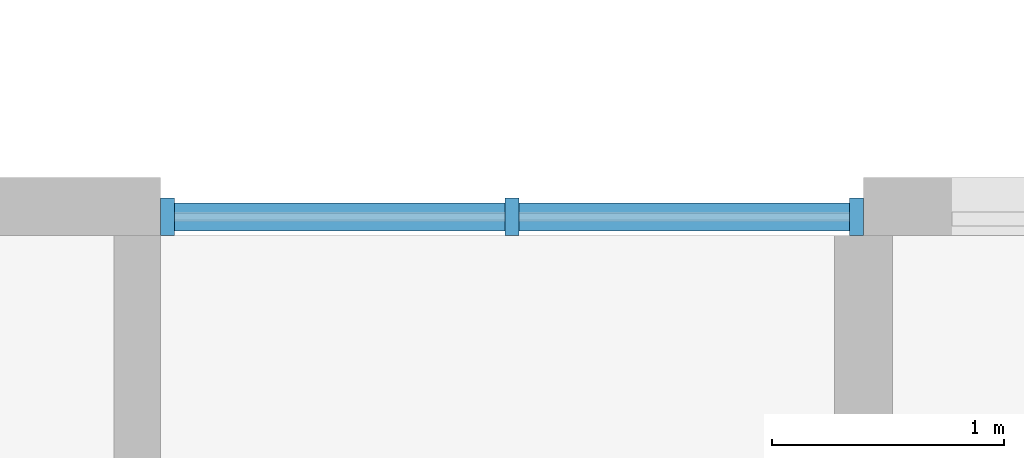
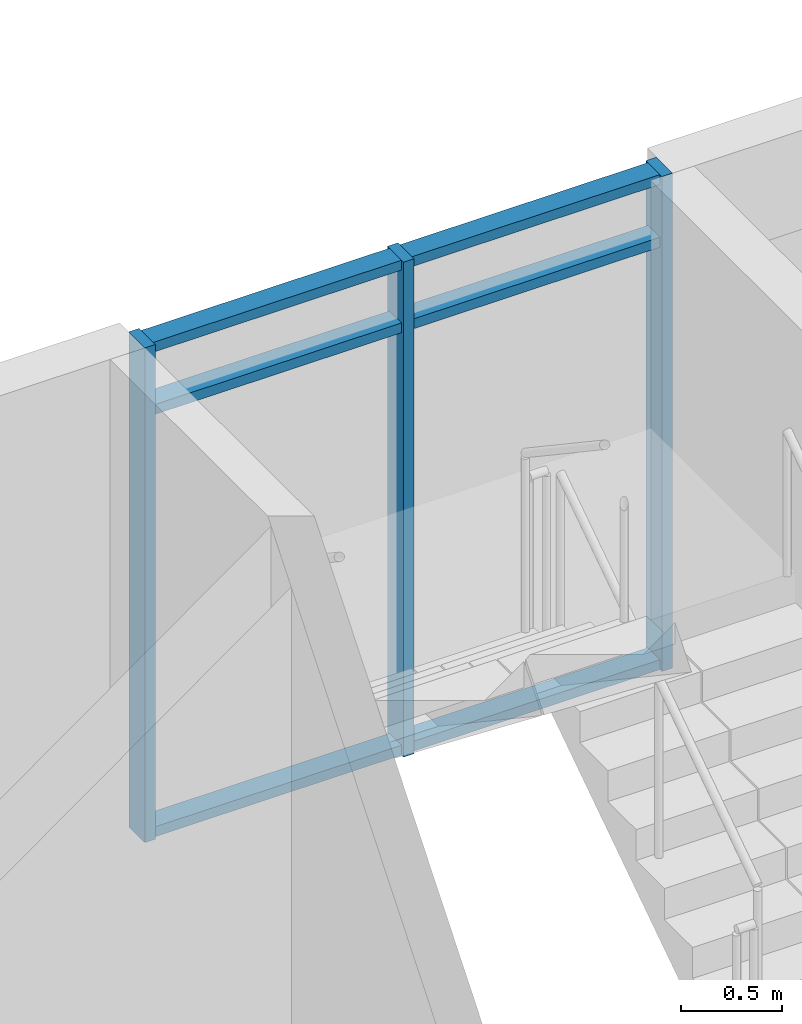
# One storey, part 12 of 87: 9 members, 1 element without a shape of its own.
"""IFC4 building model written with IfcOpenShell, lengths in metres."""

from ifc_helpers import new_model, si_unit, direction, frame, origin, origin_2d, place, context, subcontext, project, spatial, rectangle, extrude, material, material_profile, profile_set, type_object, element, aggregate, save


model = new_model("IFC4")

# Units and contexts
model_context = context("Model", 3, precision=1e-05, world=origin(), true_north=direction((0.0, 1.0)))
body_context = subcontext(model_context, "Body", "Model", "MODEL_VIEW")
ifc_project = project(units=[si_unit("LENGTHUNIT", "METRE"), si_unit("AREAUNIT", "SQUARE_METRE"), si_unit("VOLUMEUNIT", "CUBIC_METRE"), si_unit("PLANEANGLEUNIT", "RADIAN"), si_unit("MASSUNIT", "GRAM", prefix="KILO")], contexts=[model_context])

# Site, building, storey
site_placement = place(None, origin())
site = spatial("IfcSite", under=ifc_project, at=site_placement, CompositionType="ELEMENT")
building_placement = place(site_placement, origin())
building = spatial("IfcBuilding", under=site, at=building_placement, Name="Ridgestep Commons", CompositionType="ELEMENT")
storey_placement = place(building_placement, frame((0.0, 0.0, 27.0)))
storey = spatial("IfcBuildingStorey", under=building, at=storey_placement, Name="L09", CompositionType="ELEMENT", Elevation=27.0)

# Curtain wall, members
ifc_material_1 = material(Name="Aluminium 6063-T6 and glass", Category="aluminium")
curtain_wall_type = type_object("IfcCurtainWallType", Name="Curtain wall stair strip", PredefinedType="NOTDEFINED", material=ifc_material_1)
curtain_wall_placement = place(storey_placement, origin())
curtain_wall = element("IfcCurtainWall", 1, at=curtain_wall_placement, inside=storey, type_object=curtain_wall_type, Name="Curtain wall B2C level 09", PredefinedType="NOTDEFINED")
ifc_material_2 = material(Name="Aluminium 6063-T6", Category="aluminium")
ifc_material_profile_1 = material_profile(ifc_material_2, rectangle(XDim=0.159912109375, YDim=0.06005859375, at=origin_2d()), Name="Mullion 60 x 160")
ifc_profile_set_1 = profile_set([ifc_material_profile_1], Name="Aluminium 6063-T6")
member_type_1 = type_object("IfcMemberType", Name="Mullion 60 x 160", PredefinedType="MULLION", material=ifc_profile_set_1)
member_1_placement = place(storey_placement, frame((31.804931640625, 77.080078125, 0.0), z_axis=(0.0, 0.0, 1.0), x_axis=(0.0, 1.0, 0.0)))
member_1 = element("IfcMember", 2, at=member_1_placement, type_object=member_type_1, Name="CW1 mullion 1", PredefinedType="MULLION", context=body_context, shape_type="SweptSolid", body=[
    extrude(rectangle(XDim=0.159912109375, YDim=0.06005859375, at=origin_2d()), origin(), (0.0, 0.0, 1.0), 3.0),
])
member_2_placement = place(storey_placement, frame((33.28759765625, 77.080078125, 0.0), z_axis=(0.0, 0.0, 1.0), x_axis=(0.0, 1.0, 0.0)))
member_2 = element("IfcMember", 3, at=member_2_placement, type_object=member_type_1, Name="CW1 mullion 2", PredefinedType="MULLION", context=body_context, shape_type="SweptSolid", body=[
    extrude(rectangle(XDim=0.159912109375, YDim=0.06005859375, at=origin_2d()), origin(), (0.0, 0.0, 1.0), 3.0),
])
member_3_placement = place(storey_placement, frame((34.77001953125, 77.080078125, 0.0), z_axis=(0.0, 0.0, 1.0), x_axis=(0.0, 1.0, 0.0)))
member_3 = element("IfcMember", 4, at=member_3_placement, type_object=member_type_1, Name="CW1 mullion 3", PredefinedType="MULLION", context=body_context, shape_type="SweptSolid", body=[
    extrude(rectangle(XDim=0.159912109375, YDim=0.06005859375, at=origin_2d()), origin(), (0.0, 0.0, 1.0), 3.0),
])
ifc_material_3 = material(Name="Aluminium 6063-T6", Category="aluminium")
ifc_material_profile_2 = material_profile(ifc_material_3, rectangle(XDim=0.1201171875, YDim=0.06005859375, at=origin_2d()), Name="Transom 60 x 120")
ifc_profile_set_2 = profile_set([ifc_material_profile_2], Name="Aluminium 6063-T6")
member_type_2 = type_object("IfcMemberType", Name="Transom 60 x 120", PredefinedType="USERDEFINED", material=ifc_profile_set_2)
member_4_placement = place(storey_placement, frame((31.8349609375, 77.080078125, 0.030029296875), z_axis=(1.0, 0.0, 0.0), x_axis=(0.0, 1.0, 0.0)))
member_4 = element("IfcMember", 5, at=member_4_placement, type_object=member_type_2, Name="CW1 transom 1.1", ObjectType="TRANSOM", PredefinedType="USERDEFINED", context=body_context, shape_type="SweptSolid", body=[
    extrude(rectangle(XDim=0.1201171875, YDim=0.06005859375, at=origin_2d()), origin(), (0.0, 0.0, 1.0), 1.422607421875),
])
member_5_placement = place(storey_placement, frame((31.8349609375, 77.080078125, 2.590087890625), z_axis=(1.0, 0.0, 0.0), x_axis=(0.0, 1.0, 0.0)))
member_5 = element("IfcMember", 6, at=member_5_placement, type_object=member_type_2, Name="CW1 transom 1.2", ObjectType="TRANSOM", PredefinedType="USERDEFINED", context=body_context, shape_type="SweptSolid", body=[
    extrude(rectangle(XDim=0.1201171875, YDim=0.06005859375, at=origin_2d()), origin(), (0.0, 0.0, 1.0), 1.422607421875),
])
member_6_placement = place(storey_placement, frame((31.8349609375, 77.080078125, 2.969970703125), z_axis=(1.0, 0.0, 0.0), x_axis=(0.0, 1.0, 0.0)))
member_6 = element("IfcMember", 7, at=member_6_placement, type_object=member_type_2, Name="CW1 transom 1.3", ObjectType="TRANSOM", PredefinedType="USERDEFINED", context=body_context, shape_type="SweptSolid", body=[
    extrude(rectangle(XDim=0.1201171875, YDim=0.06005859375, at=origin_2d()), origin(), (0.0, 0.0, 1.0), 1.422607421875),
])
member_7_placement = place(storey_placement, frame((33.3173828125, 77.080078125, 0.030029296875), z_axis=(1.0, 0.0, 0.0), x_axis=(0.0, 1.0, 0.0)))
member_7 = element("IfcMember", 8, at=member_7_placement, type_object=member_type_2, Name="CW1 transom 2.1", ObjectType="TRANSOM", PredefinedType="USERDEFINED", context=body_context, shape_type="SweptSolid", body=[
    extrude(rectangle(XDim=0.1201171875, YDim=0.06005859375, at=origin_2d()), origin(), (0.0, 0.0, 1.0), 1.422607421875),
])
member_8_placement = place(storey_placement, frame((33.3173828125, 77.080078125, 2.590087890625), z_axis=(1.0, 0.0, 0.0), x_axis=(0.0, 1.0, 0.0)))
member_8 = element("IfcMember", 9, at=member_8_placement, type_object=member_type_2, Name="CW1 transom 2.2", ObjectType="TRANSOM", PredefinedType="USERDEFINED", context=body_context, shape_type="SweptSolid", body=[
    extrude(rectangle(XDim=0.1201171875, YDim=0.06005859375, at=origin_2d()), origin(), (0.0, 0.0, 1.0), 1.422607421875),
])
member_9_placement = place(storey_placement, frame((33.3173828125, 77.080078125, 2.969970703125), z_axis=(1.0, 0.0, 0.0), x_axis=(0.0, 1.0, 0.0)))
member_9 = element("IfcMember", 10, at=member_9_placement, type_object=member_type_2, Name="CW1 transom 2.3", ObjectType="TRANSOM", PredefinedType="USERDEFINED", context=body_context, shape_type="SweptSolid", body=[
    extrude(rectangle(XDim=0.1201171875, YDim=0.06005859375, at=origin_2d()), origin(), (0.0, 0.0, 1.0), 1.422607421875),
])
aggregate(curtain_wall, [member_1, member_2, member_3, member_4, member_5, member_6, member_7, member_8, member_9])

save(model, "model.ifc")
